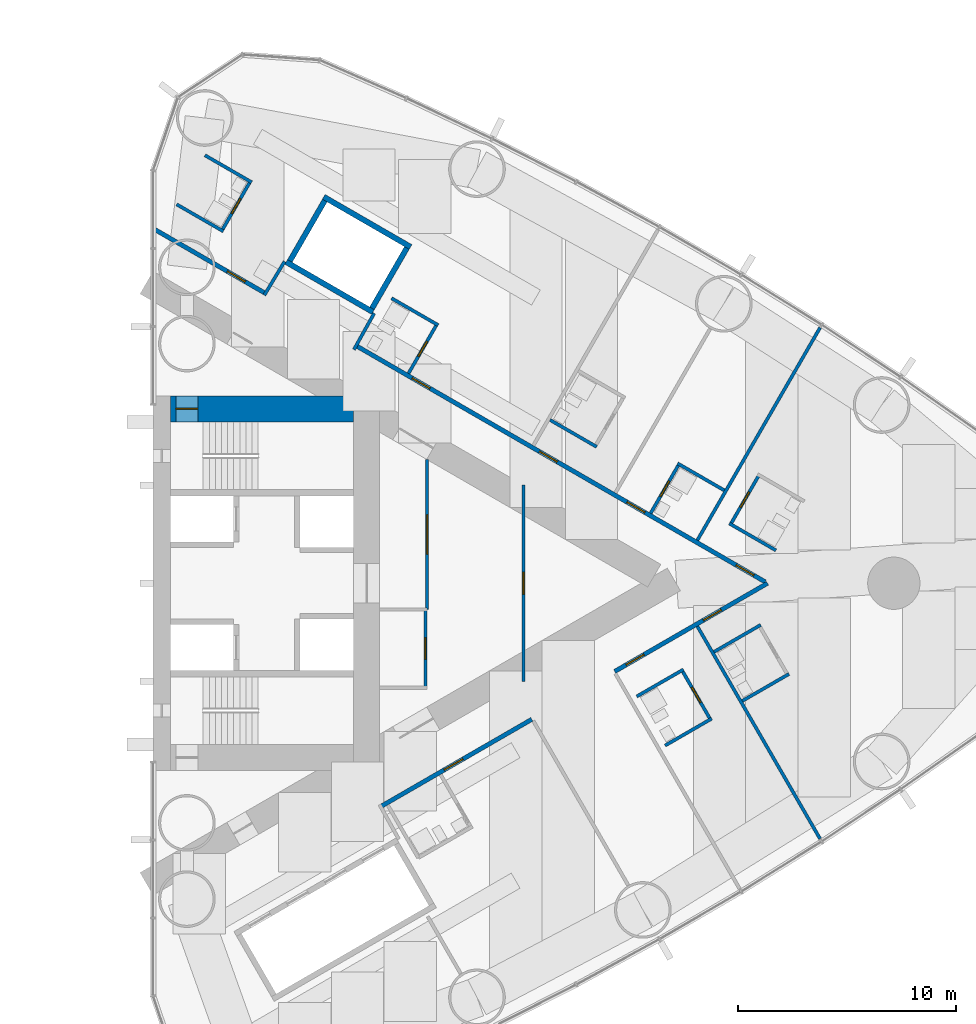
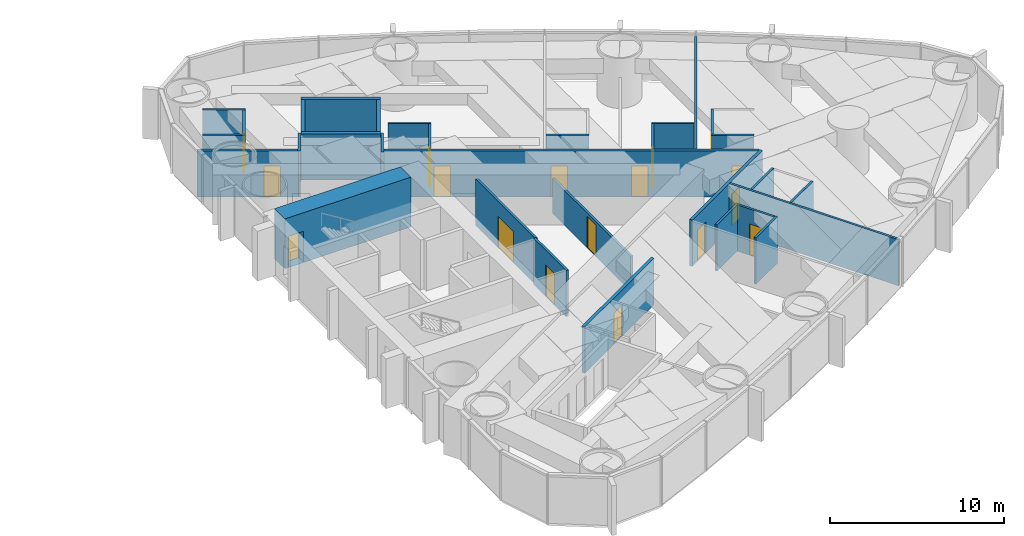
# One storey, part 14 of 18: 31 walls, 17 doors, 17 openings.
"""IFC4 building model written with IfcOpenShell, lengths in metres."""

from ifc_helpers import new_model, si_unit, direction, frame, frame_2d, origin, place, context, subcontext, project, spatial, rectangle, extrude, material, layer, layer_set, type_object, element, fill, save


model = new_model("IFC4")

# Units and contexts
model_context = context("Model", 3, precision=1e-05, world=origin(), true_north=direction((0.0, 1.0)))
body_context = subcontext(model_context, "Body", "Model", "MODEL_VIEW")
ifc_project = project(units=[si_unit("LENGTHUNIT", "METRE"), si_unit("AREAUNIT", "SQUARE_METRE"), si_unit("VOLUMEUNIT", "CUBIC_METRE"), si_unit("PLANEANGLEUNIT", "RADIAN"), si_unit("MASSUNIT", "GRAM", prefix="KILO")], contexts=[model_context])

# Site, building, storey
site_placement = place(None, origin())
site = spatial("IfcSite", under=ifc_project, at=site_placement, CompositionType="ELEMENT")
building_placement = place(site_placement, origin())
building = spatial("IfcBuilding", under=site, at=building_placement, Name="Lancet Gate Hotel", CompositionType="ELEMENT")
storey_placement = place(building_placement, frame((0.0, 0.0, 108.10009765625)))
storey = spatial("IfcBuildingStorey", under=building, at=storey_placement, Name="L28", CompositionType="ELEMENT", Elevation=108.10009765625)

# Wall
ifc_material_1 = material(Name="Moisture resistant board partition")
ifc_layer_1 = layer(ifc_material_1, 0.14990234375)
ifc_layer_set_1 = layer_set([ifc_layer_1], Name="Bathroom wall 150")
wall_type_1 = type_object("IfcWallType", Name="Bathroom wall 150", PredefinedType="PARTITIONING", material=ifc_layer_set_1)
wall_1_placement = place(storey_placement, frame((51.0, -7.44921875, 0.0), z_axis=(0.0, 0.0, 1.0), x_axis=(0.866006523861, 0.500032699561, 0.0)))
element("IfcWall", 1, at=wall_1_placement, inside=storey, type_object=wall_type_1, Name="T2 bathroom wall 150 L28", PredefinedType="PARTITIONING", context=body_context, shape_type="SweptSolid", body=[
    extrude(rectangle(XDim=2.474853515625, YDim=0.14990234375, at=frame_2d((1.2373046875, 0.0))), origin(), (0.0, 0.0, 1.0), 3.25),
])

# Wall, opening, door
wall_2_placement = place(storey_placement, frame((51.7783203125, -3.99755859375, 0.0), z_axis=(0.0, 0.0, 1.0), x_axis=(0.500047596559, -0.865997922154, 0.0)))
wall_2 = element("IfcWall", 2, at=wall_2_placement, inside=storey, type_object=wall_type_1, Name="T2 bathroom wall 150 L28", PredefinedType="PARTITIONING", context=body_context, shape_type="SweptSolid", body=[
    extrude(rectangle(XDim=2.599853515625, YDim=0.14990234375, at=frame_2d((1.2998046875, 0.0))), origin(), (0.0, 0.0, 1.0), 3.25),
])
opening_1_placement = place(wall_2_placement, frame((0.89990234375, 0.0, 0.0)))
opening_1 = element("IfcOpeningElement", 3, at=opening_1_placement, cuts=wall_2, Name="Opening 2856-B", PredefinedType="OPENING", context=body_context, shape_type="SweptSolid", body=[
    extrude(rectangle(XDim=0.800048828125, YDim=2.199951171875, at=frame_2d((0.39990234375, 1.10009765625))), frame((0.0, 0.0849609375, 0.0), z_axis=(0.0, -1.0, 0.0), x_axis=(1.0, 0.0, 0.0)), (0.0, 0.0, 1.0), 0.169921875),
])
ifc_material_2 = material(Name="Timber door set", Category="wood")
door_type_1 = type_object("IfcDoorType", Name="Bathroom door 800", OperationType="SINGLE_SWING_RIGHT", PredefinedType="DOOR", material=ifc_material_2)
door_1_placement = place(opening_1_placement, origin())
door_1 = element("IfcDoor", 4, at=door_1_placement, inside=storey, type_object=door_type_1, Name="2856-B", OperationType="SINGLE_SWING_RIGHT", OverallHeight=2.199951171875, OverallWidth=0.800048828125, PredefinedType="DOOR", context=body_context, shape_type="SweptSolid", body=[
    extrude(rectangle(XDim=0.800048828125, YDim=2.199951171875, at=frame_2d((0.39990234375, 1.10009765625))), frame((0.0, 0.02490234375, 0.0), z_axis=(0.0, -1.0, 0.0), x_axis=(1.0, 0.0, 0.0)), (0.0, 0.0, 1.0), 0.050048828125),
])
fill(opening_1, door_1)

# Walls
for number, where, z_axis, x_axis, name in (
    (5, (49.699951171875, -5.197509765625, 0.0), (0.0, 0.0, 1.0), (0.866006523861, 0.500032699561, 0.0), "T2 bathroom wall 150 L28"),
    (6, (54.54638671875, -5.401611328125, 0.0), (0.0, 0.0, 1.0), (0.866006523861, 0.500032699561, 0.0), "T2 bathroom wall 150 L28"),
    (7, (53.246337890625, -3.14990234375, 0.0), (0.0, 0.0, 1.0), (0.866006523861, 0.500032699561, 0.0), "T2 bathroom wall 150 L28"),
):
    element("IfcWall", number, at=place(storey_placement, frame(where, z_axis=z_axis, x_axis=x_axis)), inside=storey, type_object=wall_type_1, Name=name, PredefinedType="PARTITIONING", context=body_context, shape_type="SweptSolid", body=[
        extrude(rectangle(XDim=2.474853515625, YDim=0.14990234375, at=frame_2d((1.2373046875, 0.0))), origin(), (0.0, 0.0, 1.0), 3.25),
    ])

# Wall, opening, door
wall_3_placement = place(storey_placement, frame((54.010009765625, 2.708984375, 0.0), z_axis=(0.0, 0.0, 1.0), x_axis=(0.500006934395, 0.866021400173, 0.0)))
wall_3 = element("IfcWall", 8, at=wall_3_placement, inside=storey, type_object=wall_type_1, Name="T2 bathroom wall 150 L28", PredefinedType="PARTITIONING", context=body_context, shape_type="SweptSolid", body=[
    extrude(rectangle(XDim=2.60009765625, YDim=0.14990234375, at=frame_2d((1.300048828125, 0.0))), origin(), (0.0, 0.0, 1.0), 3.25),
])
opening_2_placement = place(wall_3_placement, frame((0.89990234375, 0.0, 0.0)))
opening_2 = element("IfcOpeningElement", 9, at=opening_2_placement, cuts=wall_3, Name="Opening 2858-B", PredefinedType="OPENING", context=body_context, shape_type="SweptSolid", body=[
    extrude(rectangle(XDim=0.800048828125, YDim=2.199951171875, at=frame_2d((0.39990234375, 1.10009765625))), frame((0.0, 0.0849609375, 0.0), z_axis=(0.0, -1.0, 0.0), x_axis=(1.0, 0.0, 0.0)), (0.0, 0.0, 1.0), 0.169921875),
])
door_2_placement = place(opening_2_placement, origin())
door_2 = element("IfcDoor", 10, at=door_2_placement, inside=storey, type_object=door_type_1, Name="2858-B", OperationType="SINGLE_SWING_RIGHT", OverallHeight=2.199951171875, OverallWidth=0.800048828125, PredefinedType="DOOR", context=body_context, shape_type="SweptSolid", body=[
    extrude(rectangle(XDim=0.800048828125, YDim=2.199951171875, at=frame_2d((0.39990234375, 1.10009765625))), frame((0.0, 0.02490234375, 0.0), z_axis=(0.0, -1.0, 0.0), x_axis=(1.0, 0.0, 0.0)), (0.0, 0.0, 1.0), 0.050048828125),
])
fill(opening_2, door_2)

# Walls
wall_4_placement = place(storey_placement, frame((53.945068359375, 2.74658203125, 0.0), z_axis=(0.0, 0.0, 1.0), x_axis=(0.866031185235, -0.4999899861, 0.0)))
element("IfcWall", 11, at=wall_4_placement, inside=storey, type_object=wall_type_1, Name="T2 bathroom wall 150 L28", PredefinedType="PARTITIONING", context=body_context, shape_type="SweptSolid", body=[
    extrude(rectangle(XDim=2.47509765625, YDim=0.14990234375, at=frame_2d((1.237548828125, 0.0))), origin(), (0.0, 0.0, 1.0), 3.25),
])
wall_5_placement = place(storey_placement, frame((51.572998046875, 5.501708984375, 0.0), z_axis=(0.0, 0.0, 1.0), x_axis=(0.866006523861, -0.500032699561, 0.0)))
element("IfcWall", 12, at=wall_5_placement, inside=storey, type_object=wall_type_1, Name="T2 bathroom wall 150 L28", PredefinedType="PARTITIONING", context=body_context, shape_type="SweptSolid", body=[
    extrude(rectangle(XDim=2.474853515625, YDim=0.14990234375, at=frame_2d((1.2373046875, 0.0))), origin(), (0.0, 0.0, 1.0), 3.25),
])

# Wall, opening, door
wall_6_placement = place(storey_placement, frame((50.337890625, 3.212646484375, 0.0), z_axis=(0.0, 0.0, 1.0), x_axis=(0.500047596559, 0.865997922154, 0.0)))
wall_6 = element("IfcWall", 13, at=wall_6_placement, inside=storey, type_object=wall_type_1, Name="T2 bathroom wall 150 L28", PredefinedType="PARTITIONING", context=body_context, shape_type="SweptSolid", body=[
    extrude(rectangle(XDim=2.599853515625, YDim=0.14990234375, at=frame_2d((1.2998046875, 0.0))), origin(), (0.0, 0.0, 1.0), 3.25),
])
opening_3_placement = place(wall_6_placement, frame((0.89990234375, 0.0, 0.0)))
opening_3 = element("IfcOpeningElement", 14, at=opening_3_placement, cuts=wall_6, Name="Opening 2859-B", PredefinedType="OPENING", context=body_context, shape_type="SweptSolid", body=[
    extrude(rectangle(XDim=0.800048828125, YDim=2.199951171875, at=frame_2d((0.39990234375, 1.10009765625))), frame((0.0, 0.0849609375, 0.0), z_axis=(0.0, -1.0, 0.0), x_axis=(1.0, 0.0, 0.0)), (0.0, 0.0, 1.0), 0.169921875),
])
door_3_placement = place(opening_3_placement, origin())
door_3 = element("IfcDoor", 15, at=door_3_placement, inside=storey, type_object=door_type_1, Name="2859-B", OperationType="SINGLE_SWING_RIGHT", OverallHeight=2.199951171875, OverallWidth=0.800048828125, PredefinedType="DOOR", context=body_context, shape_type="SweptSolid", body=[
    extrude(rectangle(XDim=0.800048828125, YDim=2.199951171875, at=frame_2d((0.39990234375, 1.10009765625))), frame((0.0, 0.02490234375, 0.0), z_axis=(0.0, -1.0, 0.0), x_axis=(1.0, 0.0, 0.0)), (0.0, 0.0, 1.0), 0.050048828125),
])
fill(opening_3, door_3)

# Walls
for number, where, z_axis, x_axis, name in (
    (16, (45.718505859375, 7.49609375, 0.0), (0.0, 0.0, 1.0), (0.866031185235, -0.4999899861, 0.0), "T2 bathroom wall 150 L28"),
    (17, (38.44384765625, 13.081787109375, 0.0), (0.0, 0.0, 1.0), (0.866031185235, -0.4999899861, 0.0), "T2 bathroom wall 150 L28"),
):
    element("IfcWall", number, at=place(storey_placement, frame(where, z_axis=z_axis, x_axis=x_axis)), inside=storey, type_object=wall_type_1, Name=name, PredefinedType="PARTITIONING", context=body_context, shape_type="SweptSolid", body=[
        extrude(rectangle(XDim=2.47509765625, YDim=0.14990234375, at=frame_2d((1.237548828125, 0.0))), origin(), (0.0, 0.0, 1.0), 3.25),
    ])

# Wall, opening, door
wall_7_placement = place(storey_placement, frame((39.222412109375, 9.630126953125, 0.0), z_axis=(0.0, 0.0, 1.0), x_axis=(0.499936506574, 0.866062058628, 0.0)))
wall_7 = element("IfcWall", 18, at=wall_7_placement, inside=storey, type_object=wall_type_1, Name="T2 bathroom wall 150 L28", PredefinedType="PARTITIONING", context=body_context, shape_type="SweptSolid", body=[
    extrude(rectangle(XDim=2.599853515625, YDim=0.14990234375, at=frame_2d((1.2998046875, 0.0))), origin(), (0.0, 0.0, 1.0), 3.25),
])
opening_4_placement = place(wall_7_placement, frame((0.89990234375, 0.0, 0.0)))
opening_4 = element("IfcOpeningElement", 19, at=opening_4_placement, cuts=wall_7, Name="Opening 2861-B", PredefinedType="OPENING", context=body_context, shape_type="SweptSolid", body=[
    extrude(rectangle(XDim=0.800048828125, YDim=2.199951171875, at=frame_2d((0.39990234375, 1.10009765625))), frame((0.0, 0.0849609375, 0.0), z_axis=(0.0, -1.0, 0.0), x_axis=(1.0, 0.0, 0.0)), (0.0, 0.0, 1.0), 0.169921875),
])
door_4_placement = place(opening_4_placement, origin())
door_4 = element("IfcDoor", 20, at=door_4_placement, inside=storey, type_object=door_type_1, Name="2861-B", OperationType="SINGLE_SWING_RIGHT", OverallHeight=2.199951171875, OverallWidth=0.800048828125, PredefinedType="DOOR", context=body_context, shape_type="SweptSolid", body=[
    extrude(rectangle(XDim=0.800048828125, YDim=2.199951171875, at=frame_2d((0.39990234375, 1.10009765625))), frame((0.0, 0.02490234375, 0.0), z_axis=(0.0, -1.0, 0.0), x_axis=(1.0, 0.0, 0.0)), (0.0, 0.0, 1.0), 0.050048828125),
])
fill(opening_4, door_4)

# Wall
wall_8_placement = place(storey_placement, frame((29.8818359375, 19.6416015625, 0.0), z_axis=(0.0, 0.0, 1.0), x_axis=(0.866031185235, -0.4999899861, 0.0)))
element("IfcWall", 21, at=wall_8_placement, inside=storey, type_object=wall_type_1, Name="T2 bathroom wall 150 L28", PredefinedType="PARTITIONING", context=body_context, shape_type="SweptSolid", body=[
    extrude(rectangle(XDim=2.47509765625, YDim=0.14990234375, at=frame_2d((1.237548828125, 0.0))), origin(), (0.0, 0.0, 1.0), 3.25),
])

# Wall, opening, door
wall_9_placement = place(storey_placement, frame((30.660400390625, 16.18994140625, 0.0), z_axis=(0.0, 0.0, 1.0), x_axis=(0.499936506574, 0.866062058628, 0.0)))
wall_9 = element("IfcWall", 22, at=wall_9_placement, inside=storey, type_object=wall_type_1, Name="T2 bathroom wall 150 L28", PredefinedType="PARTITIONING", context=body_context, shape_type="SweptSolid", body=[
    extrude(rectangle(XDim=2.599853515625, YDim=0.14990234375, at=frame_2d((1.2998046875, 0.0))), origin(), (0.0, 0.0, 1.0), 3.25),
])
opening_5_placement = place(wall_9_placement, frame((0.89990234375, 0.0, 0.0)))
opening_5 = element("IfcOpeningElement", 23, at=opening_5_placement, cuts=wall_9, Name="Opening 2864-B", PredefinedType="OPENING", context=body_context, shape_type="SweptSolid", body=[
    extrude(rectangle(XDim=0.800048828125, YDim=2.199951171875, at=frame_2d((0.39990234375, 1.10009765625))), frame((0.0, 0.0849609375, 0.0), z_axis=(0.0, -1.0, 0.0), x_axis=(1.0, 0.0, 0.0)), (0.0, 0.0, 1.0), 0.169921875),
])
door_5_placement = place(opening_5_placement, origin())
door_5 = element("IfcDoor", 24, at=door_5_placement, inside=storey, type_object=door_type_1, Name="2864-B", OperationType="SINGLE_SWING_RIGHT", OverallHeight=2.199951171875, OverallWidth=0.800048828125, PredefinedType="DOOR", context=body_context, shape_type="SweptSolid", body=[
    extrude(rectangle(XDim=0.800048828125, YDim=2.199951171875, at=frame_2d((0.39990234375, 1.10009765625))), frame((0.0, 0.02490234375, 0.0), z_axis=(0.0, -1.0, 0.0), x_axis=(1.0, 0.0, 0.0)), (0.0, 0.0, 1.0), 0.050048828125),
])
fill(opening_5, door_5)

# Wall
wall_10_placement = place(storey_placement, frame((28.581787109375, 17.389892578125, 0.0), z_axis=(0.0, 0.0, 1.0), x_axis=(0.866073894602, -0.499916002032, 0.0)))
element("IfcWall", 25, at=wall_10_placement, inside=storey, type_object=wall_type_1, Name="T2 bathroom wall 150 L28", PredefinedType="PARTITIONING", context=body_context, shape_type="SweptSolid", body=[
    extrude(rectangle(XDim=2.47509765625, YDim=0.14990234375, at=frame_2d((1.237548828125, 0.0))), origin(), (0.0, 0.0, 1.0), 3.25),
])

# Wall, opening, door
ifc_material_3 = material(Name="Concrete C70/85", Category="concrete")
ifc_layer_2 = layer(ifc_material_3, 1.199951171875)
ifc_layer_set_2 = layer_set([ifc_layer_2], Name="Core wall 1200")
wall_type_2 = type_object("IfcWallType", Name="Core wall 1200", PredefinedType="SHEAR", material=ifc_layer_set_2)
wall_11_placement = place(storey_placement, frame((28.300048828125, 8.0, 0.0), z_axis=(0.0, 0.0, 1.0), x_axis=(1.0, 0.0, 0.0)))
wall_11 = element("IfcWall", 26, at=wall_11_placement, inside=storey, type_object=wall_type_2, Name="T2 core wall side-N L28", PredefinedType="SHEAR", context=body_context, shape_type="SweptSolid", body=[
    extrude(rectangle(XDim=8.39990234375, YDim=1.199951171875, at=frame_2d((4.199951171875, 0.0))), origin(), (0.0, 0.0, 1.0), 3.5),
])
opening_6_placement = place(wall_11_placement, frame((0.25, 0.0, 0.0)))
opening_6 = element("IfcOpeningElement", 27, at=opening_6_placement, cuts=wall_11, Name="Opening T2-L28-ST2", PredefinedType="OPENING", context=body_context, shape_type="SweptSolid", body=[
    extrude(rectangle(XDim=1.0, YDim=2.199951171875, at=frame_2d((0.5, 1.10009765625))), frame((0.0, 0.60986328125, 0.0), z_axis=(0.0, -1.0, 0.0), x_axis=(1.0, 0.0, 0.0)), (0.0, 0.0, 1.0), 1.219970703125),
])
ifc_material_4 = material(Name="Timber door set", Category="wood")
door_type_2 = type_object("IfcDoorType", Name="Stair door 1000", OperationType="SINGLE_SWING_RIGHT", PredefinedType="DOOR", material=ifc_material_4)
door_6_placement = place(opening_6_placement, origin())
door_6 = element("IfcDoor", 28, at=door_6_placement, inside=storey, type_object=door_type_2, Name="T2-L28-ST2", OperationType="SINGLE_SWING_RIGHT", OverallHeight=2.199951171875, OverallWidth=1.0, PredefinedType="DOOR", context=body_context, shape_type="SweptSolid", body=[
    extrude(rectangle(XDim=1.0, YDim=2.199951171875, at=frame_2d((0.5, 1.10009765625))), frame((0.0, 0.02490234375, 0.0), z_axis=(0.0, -1.0, 0.0), x_axis=(1.0, 0.0, 0.0)), (0.0, 0.0, 1.0), 0.050048828125),
])
fill(opening_6, door_6)

ifc_material_5 = material(Name="Gypsum board partition")
ifc_layer_3 = layer(ifc_material_5, 0.199951171875)
ifc_layer_set_3 = layer_set([ifc_layer_3], Name="Corridor wall 200")
wall_type_3 = type_object("IfcWallType", Name="Corridor wall 200", PredefinedType="PARTITIONING", material=ifc_layer_set_3)
wall_12_placement = place(storey_placement, frame((27.572021484375, 16.240966796875, 0.0), z_axis=(0.0, 0.0, 1.0), x_axis=(0.866032814021, -0.499987164874, 0.0)))
wall_12 = element("IfcWall", 29, at=wall_12_placement, inside=storey, type_object=wall_type_3, Name="T2 corridor wall 200 L28", PredefinedType="PARTITIONING", context=body_context, shape_type="SweptSolid", body=[
    extrude(rectangle(XDim=5.854736328125, YDim=0.199951171875, at=frame_2d((2.92724609375, 0.0))), origin(), (0.0, 0.0, 1.0), 3.25),
])
opening_7_placement = place(wall_12_placement, frame((3.85009765625, 0.0, 0.0)))
opening_7 = element("IfcOpeningElement", 30, at=opening_7_placement, cuts=wall_12, Name="Opening 2864-E", PredefinedType="OPENING", context=body_context, shape_type="SweptSolid", body=[
    extrude(rectangle(XDim=0.949951171875, YDim=2.199951171875, at=frame_2d((0.47509765625, 1.10009765625))), frame((0.0, 0.10986328125, 0.0), z_axis=(0.0, -1.0, 0.0), x_axis=(1.0, 0.0, 0.0)), (0.0, 0.0, 1.0), 0.219970703125),
])
ifc_material_6 = material(Name="Timber door set", Category="wood")
door_type_3 = type_object("IfcDoorType", Name="Guest room entry door 950", OperationType="SINGLE_SWING_LEFT", PredefinedType="DOOR", material=ifc_material_6)
door_7_placement = place(opening_7_placement, origin())
door_7 = element("IfcDoor", 31, at=door_7_placement, inside=storey, type_object=door_type_3, Name="2864-E", OperationType="SINGLE_SWING_LEFT", OverallHeight=2.199951171875, OverallWidth=0.949951171875, PredefinedType="DOOR", context=body_context, shape_type="SweptSolid", body=[
    extrude(rectangle(XDim=0.949951171875, YDim=2.199951171875, at=frame_2d((0.47509765625, 1.10009765625))), frame((0.0, 0.02490234375, 0.0), z_axis=(0.0, -1.0, 0.0), x_axis=(1.0, 0.0, 0.0)), (0.0, 0.0, 1.0), 0.050048828125),
])
fill(opening_7, door_7)

# Wall, openings, doors
wall_13_placement = place(storey_placement, frame((36.833984375, 10.8935546875, 0.0), z_axis=(0.0, 0.0, 1.0), x_axis=(0.866028157229, -0.499995230863, 0.0)))
wall_13 = element("IfcWall", 32, at=wall_13_placement, inside=storey, type_object=wall_type_3, Name="T2 corridor wall 200 L28", PredefinedType="PARTITIONING", context=body_context, shape_type="SweptSolid", body=[
    extrude(rectangle(XDim=21.667236328125, YDim=0.199951171875, at=frame_2d((10.83349609375, 0.0))), origin(), (0.0, 0.0, 1.0), 3.25),
])
opening_8_placement = place(wall_13_placement, frame((20.1171875, 0.0, 0.0)))
opening_8 = element("IfcOpeningElement", 33, at=opening_8_placement, cuts=wall_13, Name="Opening 2858-E", PredefinedType="OPENING", context=body_context, shape_type="SweptSolid", body=[
    extrude(rectangle(XDim=0.949951171875, YDim=2.199951171875, at=frame_2d((0.47509765625, 1.10009765625))), frame((0.0, 0.10986328125, 0.0), z_axis=(0.0, -1.0, 0.0), x_axis=(1.0, 0.0, 0.0)), (0.0, 0.0, 1.0), 0.219970703125),
])
opening_9_placement = place(wall_13_placement, frame((14.335205078125, 0.0, 0.0)))
opening_9 = element("IfcOpeningElement", 34, at=opening_9_placement, cuts=wall_13, Name="Opening 2859-E", PredefinedType="OPENING", context=body_context, shape_type="SweptSolid", body=[
    extrude(rectangle(XDim=0.949951171875, YDim=2.199951171875, at=frame_2d((0.47509765625, 1.10009765625))), frame((0.0, 0.10986328125, 0.0), z_axis=(0.0, -1.0, 0.0), x_axis=(1.0, 0.0, 0.0)), (0.0, 0.0, 1.0), 0.219970703125),
])
opening_10_placement = place(wall_13_placement, frame((9.69287109375, 0.0, 0.0)))
opening_10 = element("IfcOpeningElement", 35, at=opening_10_placement, cuts=wall_13, Name="Opening 2860-E", PredefinedType="OPENING", context=body_context, shape_type="SweptSolid", body=[
    extrude(rectangle(XDim=0.949951171875, YDim=2.199951171875, at=frame_2d((0.47509765625, 1.10009765625))), frame((0.0, 0.10986328125, 0.0), z_axis=(0.0, -1.0, 0.0), x_axis=(1.0, 0.0, 0.0)), (0.0, 0.0, 1.0), 0.219970703125),
])
opening_11_placement = place(wall_13_placement, frame((2.949951171875, 0.0, 0.0)))
opening_11 = element("IfcOpeningElement", 36, at=opening_11_placement, cuts=wall_13, Name="Opening 2861-E", PredefinedType="OPENING", context=body_context, shape_type="SweptSolid", body=[
    extrude(rectangle(XDim=0.949951171875, YDim=2.199951171875, at=frame_2d((0.47509765625, 1.10009765625))), frame((0.0, 0.10986328125, 0.0), z_axis=(0.0, -1.0, 0.0), x_axis=(1.0, 0.0, 0.0)), (0.0, 0.0, 1.0), 0.219970703125),
])
door_8_placement = place(opening_8_placement, origin())
door_8 = element("IfcDoor", 37, at=door_8_placement, inside=storey, type_object=door_type_3, Name="2858-E", OperationType="SINGLE_SWING_LEFT", OverallHeight=2.199951171875, OverallWidth=0.949951171875, PredefinedType="DOOR", context=body_context, shape_type="SweptSolid", body=[
    extrude(rectangle(XDim=0.949951171875, YDim=2.199951171875, at=frame_2d((0.47509765625, 1.10009765625))), frame((0.0, 0.02490234375, 0.0), z_axis=(0.0, -1.0, 0.0), x_axis=(1.0, 0.0, 0.0)), (0.0, 0.0, 1.0), 0.050048828125),
])
fill(opening_8, door_8)
door_9_placement = place(opening_9_placement, origin())
door_9 = element("IfcDoor", 38, at=door_9_placement, inside=storey, type_object=door_type_3, Name="2859-E", OperationType="SINGLE_SWING_LEFT", OverallHeight=2.199951171875, OverallWidth=0.949951171875, PredefinedType="DOOR", context=body_context, shape_type="SweptSolid", body=[
    extrude(rectangle(XDim=0.949951171875, YDim=2.199951171875, at=frame_2d((0.47509765625, 1.10009765625))), frame((0.0, 0.02490234375, 0.0), z_axis=(0.0, -1.0, 0.0), x_axis=(1.0, 0.0, 0.0)), (0.0, 0.0, 1.0), 0.050048828125),
])
fill(opening_9, door_9)
door_10_placement = place(opening_10_placement, origin())
door_10 = element("IfcDoor", 39, at=door_10_placement, inside=storey, type_object=door_type_3, Name="2860-E", OperationType="SINGLE_SWING_LEFT", OverallHeight=2.199951171875, OverallWidth=0.949951171875, PredefinedType="DOOR", context=body_context, shape_type="SweptSolid", body=[
    extrude(rectangle(XDim=0.949951171875, YDim=2.199951171875, at=frame_2d((0.47509765625, 1.10009765625))), frame((0.0, 0.02490234375, 0.0), z_axis=(0.0, -1.0, 0.0), x_axis=(1.0, 0.0, 0.0)), (0.0, 0.0, 1.0), 0.050048828125),
])
fill(opening_10, door_10)
door_11_placement = place(opening_11_placement, origin())
door_11 = element("IfcDoor", 40, at=door_11_placement, inside=storey, type_object=door_type_3, Name="2861-E", OperationType="SINGLE_SWING_LEFT", OverallHeight=2.199951171875, OverallWidth=0.949951171875, PredefinedType="DOOR", context=body_context, shape_type="SweptSolid", body=[
    extrude(rectangle(XDim=0.949951171875, YDim=2.199951171875, at=frame_2d((0.47509765625, 1.10009765625))), frame((0.0, 0.02490234375, 0.0), z_axis=(0.0, -1.0, 0.0), x_axis=(1.0, 0.0, 0.0)), (0.0, 0.0, 1.0), 0.050048828125),
])
fill(opening_11, door_11)

# Wall, opening, door
wall_14_placement = place(storey_placement, frame((37.9599609375, -10.243408203125, 0.0), z_axis=(0.0, 0.0, 1.0), x_axis=(0.86603350054, 0.499985975746, 0.0)))
wall_14 = element("IfcWall", 41, at=wall_14_placement, inside=storey, type_object=wall_type_3, Name="T2 corridor wall 200 L28", PredefinedType="PARTITIONING", context=body_context, shape_type="SweptSolid", body=[
    extrude(rectangle(XDim=7.992919921875, YDim=0.199951171875, at=frame_2d((3.99658203125, 0.0))), origin(), (0.0, 0.0, 1.0), 3.25),
])
opening_12_placement = place(wall_14_placement, frame((3.35009765625, 0.0, 0.0)))
opening_12 = element("IfcOpeningElement", 42, at=opening_12_placement, cuts=wall_14, Name="Opening 2853-E", PredefinedType="OPENING", context=body_context, shape_type="SweptSolid", body=[
    extrude(rectangle(XDim=1.0, YDim=2.199951171875, at=frame_2d((0.5, 1.10009765625))), frame((0.0, 0.10986328125, 0.0), z_axis=(0.0, -1.0, 0.0), x_axis=(1.0, 0.0, 0.0)), (0.0, 0.0, 1.0), 0.219970703125),
])
ifc_material_7 = material(Name="Timber door set", Category="wood")
door_type_4 = type_object("IfcDoorType", Name="Accessible guest room door 1000", OperationType="SINGLE_SWING_LEFT", PredefinedType="DOOR", material=ifc_material_7)
door_12_placement = place(opening_12_placement, origin())
door_12 = element("IfcDoor", 43, at=door_12_placement, inside=storey, type_object=door_type_4, Name="2853-E", OperationType="SINGLE_SWING_LEFT", OverallHeight=2.199951171875, OverallWidth=1.0, PredefinedType="DOOR", context=body_context, shape_type="SweptSolid", body=[
    extrude(rectangle(XDim=1.0, YDim=2.199951171875, at=frame_2d((0.5, 1.10009765625))), frame((0.0, 0.02490234375, 0.0), z_axis=(0.0, -1.0, 0.0), x_axis=(1.0, 0.0, 0.0)), (0.0, 0.0, 1.0), 0.050048828125),
])
fill(opening_12, door_12)

# Wall, openings, doors
wall_15_placement = place(storey_placement, frame((48.690185546875, -4.04833984375, 0.0), z_axis=(0.0, 0.0, 1.0), x_axis=(0.866026410209, 0.499998256818, 0.0)))
wall_15 = element("IfcWall", 44, at=wall_15_placement, inside=storey, type_object=wall_type_3, Name="T2 corridor wall 200 L28", PredefinedType="PARTITIONING", context=body_context, shape_type="SweptSolid", body=[
    extrude(rectangle(XDim=8.0966796875, YDim=0.199951171875, at=frame_2d((4.04833984375, 0.0))), origin(), (0.0, 0.0, 1.0), 3.25),
])
opening_13_placement = place(wall_15_placement, frame((0.60009765625, 0.0, 0.0)))
opening_13 = element("IfcOpeningElement", 45, at=opening_13_placement, cuts=wall_15, Name="Opening 2856-E", PredefinedType="OPENING", context=body_context, shape_type="SweptSolid", body=[
    extrude(rectangle(XDim=0.949951171875, YDim=2.199951171875, at=frame_2d((0.47509765625, 1.10009765625))), frame((0.0, 0.10986328125, 0.0), z_axis=(0.0, -1.0, 0.0), x_axis=(1.0, 0.0, 0.0)), (0.0, 0.0, 1.0), 0.219970703125),
])
opening_14_placement = place(wall_15_placement, frame((4.695068359375, 0.0, 0.0)))
opening_14 = element("IfcOpeningElement", 46, at=opening_14_placement, cuts=wall_15, Name="Opening 2857-E", PredefinedType="OPENING", context=body_context, shape_type="SweptSolid", body=[
    extrude(rectangle(XDim=0.949951171875, YDim=2.199951171875, at=frame_2d((0.47509765625, 1.10009765625))), frame((0.0, 0.10986328125, 0.0), z_axis=(0.0, -1.0, 0.0), x_axis=(1.0, 0.0, 0.0)), (0.0, 0.0, 1.0), 0.219970703125),
])
door_13_placement = place(opening_13_placement, origin())
door_13 = element("IfcDoor", 47, at=door_13_placement, inside=storey, type_object=door_type_3, Name="2856-E", OperationType="SINGLE_SWING_LEFT", OverallHeight=2.199951171875, OverallWidth=0.949951171875, PredefinedType="DOOR", context=body_context, shape_type="SweptSolid", body=[
    extrude(rectangle(XDim=0.949951171875, YDim=2.199951171875, at=frame_2d((0.47509765625, 1.10009765625))), frame((0.0, 0.02490234375, 0.0), z_axis=(0.0, -1.0, 0.0), x_axis=(1.0, 0.0, 0.0)), (0.0, 0.0, 1.0), 0.050048828125),
])
fill(opening_13, door_13)
door_14_placement = place(opening_14_placement, origin())
door_14 = element("IfcDoor", 48, at=door_14_placement, inside=storey, type_object=door_type_3, Name="2857-E", OperationType="SINGLE_SWING_LEFT", OverallHeight=2.199951171875, OverallWidth=0.949951171875, PredefinedType="DOOR", context=body_context, shape_type="SweptSolid", body=[
    extrude(rectangle(XDim=0.949951171875, YDim=2.199951171875, at=frame_2d((0.47509765625, 1.10009765625))), frame((0.0, 0.02490234375, 0.0), z_axis=(0.0, -1.0, 0.0), x_axis=(1.0, 0.0, 0.0)), (0.0, 0.0, 1.0), 0.050048828125),
])
fill(opening_14, door_14)

# Walls
ifc_material_8 = material(Name="Gypsum board partition")
ifc_layer_4 = layer(ifc_material_8, 0.25)
ifc_layer_set_4 = layer_set([ifc_layer_4], Name="Lift shaft partition 250")
wall_type_4 = type_object("IfcWallType", Name="Lift shaft partition 250", PredefinedType="PARTITIONING", material=ifc_layer_set_4)
for number, where, z_axis, x_axis, name in (
    (49, (33.6083984375, 14.747314453125, 0.0), (0.0, 0.0, 1.0), (0.866043305498, -0.49996899204, 0.0), "T2 lift shaft wall EX L28"),
    (50, (35.33349609375, 17.73583984375, 0.0), (0.0, 0.0, 1.0), (0.866043305498, -0.49996899204, 0.0), "T2 lift shaft wall EX L28"),
):
    element("IfcWall", number, at=place(storey_placement, frame(where, z_axis=z_axis, x_axis=x_axis)), inside=storey, type_object=wall_type_4, Name=name, PredefinedType="PARTITIONING", context=body_context, shape_type="SweptSolid", body=[
        extrude(rectangle(XDim=4.600341796875, YDim=0.25, at=frame_2d((2.30029296875, 0.0))), origin(), (0.0, 0.0, 1.0), 3.25),
    ])
for number, where, z_axis, x_axis, name in (
    (51, (33.779296875, 14.79296875, 0.0), (0.0, 0.0, 1.0), (0.499929347863, 0.866066190972, 0.0), "T2 lift shaft wall EX L28"),
    (52, (37.546630859375, 12.617919921875, 0.0), (0.0, 0.0, 1.0), (0.499929347863, 0.866066190972, 0.0), "T2 lift shaft wall EX L28"),
):
    element("IfcWall", number, at=place(storey_placement, frame(where, z_axis=z_axis, x_axis=x_axis)), inside=storey, type_object=wall_type_4, Name=name, PredefinedType="PARTITIONING", context=body_context, shape_type="SweptSolid", body=[
        extrude(rectangle(XDim=3.20068359375, YDim=0.25, at=frame_2d((1.600341796875, 0.0))), origin(), (0.0, 0.0, 1.0), 3.25),
    ])
ifc_material_9 = material(Name="Gypsum board partition")
ifc_layer_5 = layer(ifc_material_9, 0.14990234375)
ifc_layer_set_5 = layer_set([ifc_layer_5], Name="Party wall 150")
wall_type_5 = type_object("IfcWallType", Name="Party wall 150", PredefinedType="PARTITIONING", material=ifc_layer_set_5)
for number, where, z_axis, x_axis, name in (
    (53, (52.4814453125, -1.97509765625, 0.0), (0.0, 0.0, 1.0), (0.500003867771, -0.866023170714, 0.0), "T2 party wall 150 L28"),
    (54, (52.4814453125, 1.97509765625, 0.0), (0.0, 0.0, 1.0), (0.500003867771, 0.866023170714, 0.0), "T2 party wall 150 L28"),
):
    element("IfcWall", number, at=place(storey_placement, frame(where, z_axis=z_axis, x_axis=x_axis)), inside=storey, type_object=wall_type_5, Name=name, PredefinedType="PARTITIONING", context=body_context, shape_type="SweptSolid", body=[
        extrude(rectangle(XDim=11.2646484375, YDim=0.14990234375, at=frame_2d((5.63232421875, 0.0))), origin(), (0.0, 0.0, 1.0), 3.25),
    ])
ifc_material_10 = material(Name="Gypsum board partition")
ifc_layer_6 = layer(ifc_material_10, 0.14990234375)
ifc_layer_set_6 = layer_set([ifc_layer_6], Name="Service room wall 150")
wall_type_6 = type_object("IfcWallType", Name="Service room wall 150", PredefinedType="PARTITIONING", material=ifc_layer_set_6)
wall_16_placement = place(storey_placement, frame((36.718505859375, 10.723388671875, 0.0), z_axis=(0.0, 0.0, 1.0), x_axis=(0.486348184724, 0.87376509613, 0.0)))
element("IfcWall", 55, at=wall_16_placement, inside=storey, type_object=wall_type_6, Name="T2 service room wall 150 L28", PredefinedType="PARTITIONING", context=body_context, shape_type="SweptSolid", body=[
    extrude(rectangle(XDim=1.91015625, YDim=0.14990234375, at=frame_2d((0.955078125, 0.0))), origin(), (0.0, 0.0, 1.0), 3.25),
])
wall_17_placement = place(storey_placement, frame((33.533447265625, 14.767333984375, 0.0), z_axis=(0.0, 0.0, 1.0), x_axis=(-0.514296815006, -0.857612258585, 0.0)))
element("IfcWall", 56, at=wall_17_placement, inside=storey, type_object=wall_type_6, Name="T2 service room wall 150 L28", PredefinedType="PARTITIONING", context=body_context, shape_type="SweptSolid", body=[
    extrude(rectangle(XDim=1.804931640625, YDim=0.14990234375, at=frame_2d((0.90234375, 0.0))), origin(), (0.0, 0.0, 1.0), 3.25),
])

# Wall, opening, door
wall_18_placement = place(storey_placement, frame((40.0, -4.875, 0.0), z_axis=(0.0, 0.0, 1.0), x_axis=(0.0, 1.0, 0.0)))
wall_18 = element("IfcWall", 57, at=wall_18_placement, inside=storey, type_object=wall_type_6, Name="T2 service room wall 150 L28", PredefinedType="PARTITIONING", context=body_context, shape_type="SweptSolid", body=[
    extrude(rectangle(XDim=3.75, YDim=0.14990234375, at=frame_2d((1.875, 0.0))), origin(), (0.0, 0.0, 1.0), 3.25),
])
opening_15_placement = place(wall_18_placement, frame((1.375, 0.0, 0.0)))
opening_15 = element("IfcOpeningElement", 58, at=opening_15_placement, cuts=wall_18, Name="Opening T2-L28-HRS0", PredefinedType="OPENING", context=body_context, shape_type="SweptSolid", body=[
    extrude(rectangle(XDim=1.0, YDim=2.199951171875, at=frame_2d((0.5, 1.10009765625))), frame((0.0, 0.0849609375, 0.0), z_axis=(0.0, -1.0, 0.0), x_axis=(1.0, 0.0, 0.0)), (0.0, 0.0, 1.0), 0.169921875),
])
ifc_material_11 = material(Name="Timber door set", Category="wood")
door_type_5 = type_object("IfcDoorType", Name="Service door 1000", OperationType="SINGLE_SWING_LEFT", PredefinedType="DOOR", material=ifc_material_11)
door_15_placement = place(opening_15_placement, origin())
door_15 = element("IfcDoor", 59, at=door_15_placement, inside=storey, type_object=door_type_5, Name="T2-L28-HRS0", OperationType="SINGLE_SWING_LEFT", OverallHeight=2.199951171875, OverallWidth=1.0, PredefinedType="DOOR", context=body_context, shape_type="SweptSolid", body=[
    extrude(rectangle(XDim=1.0, YDim=2.199951171875, at=frame_2d((0.5, 1.10009765625))), frame((0.0, 0.02490234375, 0.0), z_axis=(0.0, -1.0, 0.0), x_axis=(1.0, 0.0, 0.0)), (0.0, 0.0, 1.0), 0.050048828125),
])
fill(opening_15, door_15)

wall_19_placement = place(storey_placement, frame((40.074951171875, -1.199951171875, 0.0), z_axis=(0.0, 0.0, 1.0), x_axis=(0.0, 1.0, 0.0)))
wall_19 = element("IfcWall", 60, at=wall_19_placement, inside=storey, type_object=wall_type_6, Name="T2 service room wall 150 L28", PredefinedType="PARTITIONING", context=body_context, shape_type="SweptSolid", body=[
    extrude(rectangle(XDim=6.873779296875, YDim=0.14990234375, at=frame_2d((3.43701171875, 0.0))), origin(), (0.0, 0.0, 1.0), 3.25),
])
opening_16_placement = place(wall_19_placement, frame((2.536865234375, 0.0, 0.0)))
opening_16 = element("IfcOpeningElement", 61, at=opening_16_placement, cuts=wall_19, Name="Opening T2-L28-LH", PredefinedType="OPENING", context=body_context, shape_type="SweptSolid", body=[
    extrude(rectangle(XDim=1.800048828125, YDim=2.199951171875, at=frame_2d((0.89990234375, 1.10009765625))), frame((0.0, 0.0849609375, 0.0), z_axis=(0.0, -1.0, 0.0), x_axis=(1.0, 0.0, 0.0)), (0.0, 0.0, 1.0), 0.169921875),
])
ifc_material_12 = material(Name="Timber door set", Category="wood")
door_type_6 = type_object("IfcDoorType", Name="Lobby double door 1800", OperationType="DOUBLE_DOOR_SINGLE_SWING", PredefinedType="DOOR", material=ifc_material_12)
door_16_placement = place(opening_16_placement, origin())
door_16 = element("IfcDoor", 62, at=door_16_placement, inside=storey, type_object=door_type_6, Name="T2-L28-LH", OperationType="DOUBLE_DOOR_SINGLE_SWING", OverallHeight=2.199951171875, OverallWidth=1.800048828125, PredefinedType="DOOR", context=body_context, shape_type="SweptSolid", body=[
    extrude(rectangle(XDim=1.800048828125, YDim=2.199951171875, at=frame_2d((0.89990234375, 1.10009765625))), frame((0.0, 0.02490234375, 0.0), z_axis=(0.0, -1.0, 0.0), x_axis=(1.0, 0.0, 0.0)), (0.0, 0.0, 1.0), 0.050048828125),
])
fill(opening_16, door_16)

wall_20_placement = place(storey_placement, frame((44.5, -4.504638671875, 0.0), z_axis=(0.0, 0.0, 1.0), x_axis=(0.0, 1.0, 0.0)))
wall_20 = element("IfcWall", 63, at=wall_20_placement, inside=storey, type_object=wall_type_6, Name="T2 service room wall 150 L28", PredefinedType="PARTITIONING", context=body_context, shape_type="SweptSolid", body=[
    extrude(rectangle(XDim=9.00927734375, YDim=0.14990234375, at=frame_2d((4.504638671875, 0.0))), origin(), (0.0, 0.0, 1.0), 2.449951171875),
])
opening_17_placement = place(wall_20_placement, frame((4.004638671875, 0.0, 0.0)))
opening_17 = element("IfcOpeningElement", 64, at=opening_17_placement, cuts=wall_20, Name="Opening T2-L28-SV", PredefinedType="OPENING", context=body_context, shape_type="SweptSolid", body=[
    extrude(rectangle(XDim=1.0, YDim=2.199951171875, at=frame_2d((0.5, 1.10009765625))), frame((0.0, 0.0849609375, 0.0), z_axis=(0.0, -1.0, 0.0), x_axis=(1.0, 0.0, 0.0)), (0.0, 0.0, 1.0), 0.169921875),
])
door_17_placement = place(opening_17_placement, origin())
door_17 = element("IfcDoor", 65, at=door_17_placement, inside=storey, type_object=door_type_5, Name="T2-L28-SV", OperationType="SINGLE_SWING_LEFT", OverallHeight=2.199951171875, OverallWidth=1.0, PredefinedType="DOOR", context=body_context, shape_type="SweptSolid", body=[
    extrude(rectangle(XDim=1.0, YDim=2.199951171875, at=frame_2d((0.5, 1.10009765625))), frame((0.0, 0.02490234375, 0.0), z_axis=(0.0, -1.0, 0.0), x_axis=(1.0, 0.0, 0.0)), (0.0, 0.0, 1.0), 0.050048828125),
])
fill(opening_17, door_17)

save(model, "model.ifc")
